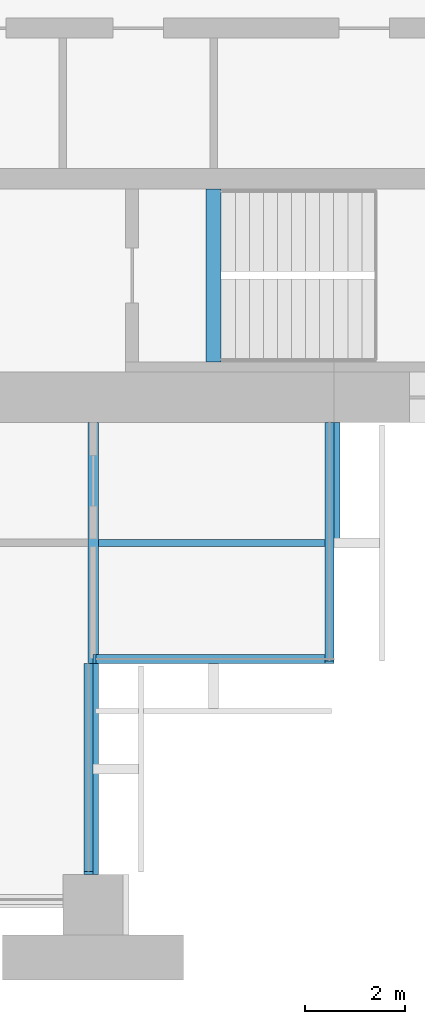
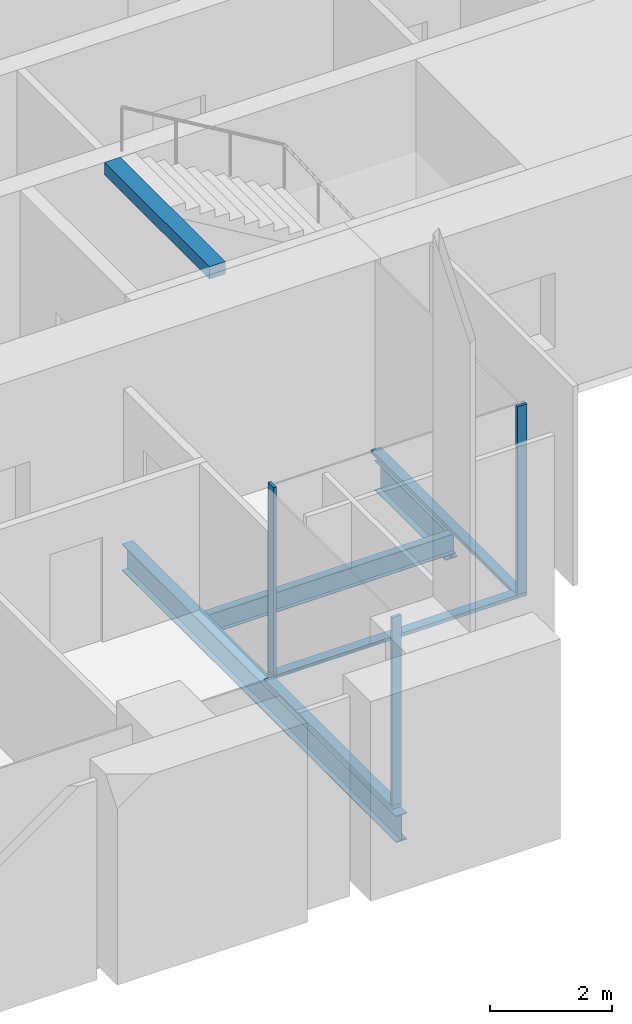
# One storey, part 4 of 14: 6 members, 4 beams, 3 elements without a shape of their own.
"""IFC4 building model written with IfcOpenShell, lengths in metres."""

from ifc_helpers import new_model, si_unit, direction, frame, origin, origin_2d, place, context, subcontext, project, spatial, rectangle, i_section, extrude, material, material_profile, profile_set, type_object, element, aggregate, save


model = new_model("IFC4")

# Units and contexts
model_context = context("Model", 3, precision=1e-05, world=origin(), true_north=direction((0.0, 1.0)))
body_context = subcontext(model_context, "Body", "Model", "MODEL_VIEW")
ifc_project = project(units=[si_unit("LENGTHUNIT", "METRE"), si_unit("AREAUNIT", "SQUARE_METRE"), si_unit("VOLUMEUNIT", "CUBIC_METRE"), si_unit("PLANEANGLEUNIT", "RADIAN"), si_unit("MASSUNIT", "GRAM", prefix="KILO")], contexts=[model_context])

# Site, building, storey
site_placement = place(None, origin())
site = spatial("IfcSite", under=ifc_project, at=site_placement, CompositionType="ELEMENT")
building_placement = place(site_placement, origin())
building = spatial("IfcBuilding", under=site, at=building_placement, Name="Baori Bourse Tower", CompositionType="ELEMENT")
storey_placement = place(building_placement, frame((0.0, 0.0, 156.10009765625)))
storey = spatial("IfcBuildingStorey", under=building, at=storey_placement, Name="L34", CompositionType="ELEMENT", Elevation=156.10009765625)

# Curtain wall, member
ifc_material_1 = material(Name="Pale anodised aluminium", Category="aluminium")
curtain_wall_type = type_object("IfcCurtainWallType", Name="CW2 Curtain wall", PredefinedType="NOTDEFINED", material=ifc_material_1)
curtain_wall_1_placement = place(storey_placement, origin())
curtain_wall_1 = element("IfcCurtainWall", 1, at=curtain_wall_1_placement, inside=storey, type_object=curtain_wall_type, Name="Curtain wall CW2 L34 12", PredefinedType="NOTDEFINED")
ifc_material_2 = material(Name="Pale anodised aluminium", Category="aluminium")
ifc_material_profile_1 = material_profile(ifc_material_2, rectangle(XDim=0.179931640625, YDim=0.054931640625, at=origin_2d()), Name="Mullion 55x180")
ifc_profile_set_1 = profile_set([ifc_material_profile_1], Name="Pale anodised aluminium")
member_type_1 = type_object("IfcMemberType", Name="CW2 Curtain wall mullion", PredefinedType="MULLION", material=ifc_profile_set_1)
member_1_placement = place(storey_placement, frame((43.110107421875, 0.62744140625, 0.06982421875), z_axis=(0.0, 0.0, 1.0), x_axis=(-1.0, 0.0, 0.0)))
member_1 = element("IfcMember", 2, at=member_1_placement, type_object=member_type_1, Name="Curtain wall CW2 mullion", PredefinedType="MULLION", context=body_context, shape_type="SweptSolid", body=[
    extrude(rectangle(XDim=0.179931640625, YDim=0.054931640625, at=origin_2d()), origin(), (0.0, 0.0, 1.0), 3.77001953125),
])

curtain_wall_2_placement = place(storey_placement, origin())
curtain_wall_2 = element("IfcCurtainWall", 3, at=curtain_wall_2_placement, inside=storey, type_object=curtain_wall_type, Name="Curtain wall CW2 L34 13", PredefinedType="NOTDEFINED")
member_2_placement = place(storey_placement, frame((43.2275390625, 4.889892578125, 0.06982421875), z_axis=(0.0, 0.0, 1.0), x_axis=(0.0, 1.0, 0.0)))
member_2 = element("IfcMember", 4, at=member_2_placement, type_object=member_type_1, Name="Curtain wall CW2 mullion", PredefinedType="MULLION", context=body_context, shape_type="SweptSolid", body=[
    extrude(rectangle(XDim=0.179931640625, YDim=0.054931640625, at=origin_2d()), origin(), (0.0, 0.0, 1.0), 3.77001953125),
])

curtain_wall_3_placement = place(storey_placement, origin())
curtain_wall_3 = element("IfcCurtainWall", 5, at=curtain_wall_3_placement, inside=storey, type_object=curtain_wall_type, Name="Curtain wall CW2 L34 14", PredefinedType="NOTDEFINED")
member_3_placement = place(storey_placement, frame((47.909912109375, 4.827392578125, 0.06982421875), z_axis=(0.0, 0.0, 1.0), x_axis=(-1.0, 0.0, 0.0)))
member_3 = element("IfcMember", 6, at=member_3_placement, type_object=member_type_1, Name="Curtain wall CW2 mullion", PredefinedType="MULLION", context=body_context, shape_type="SweptSolid", body=[
    extrude(rectangle(XDim=0.179931640625, YDim=0.054931640625, at=origin_2d()), origin(), (0.0, 0.0, 1.0), 3.77001953125),
])

# Member
ifc_material_3 = material(Name="Pale anodised aluminium", Category="aluminium")
ifc_material_profile_2 = material_profile(ifc_material_3, rectangle(XDim=0.179931640625, YDim=0.070068359375, at=origin_2d()), Name="Transom 70x180")
ifc_profile_set_2 = profile_set([ifc_material_profile_2], Name="Pale anodised aluminium")
member_type_2 = type_object("IfcMemberType", Name="CW2 Curtain wall transom", PredefinedType="USERDEFINED", material=ifc_profile_set_2)
member_4_placement = place(storey_placement, frame((43.110107421875, 0.60009765625, 0.034912109375), z_axis=(0.0, 1.0, 0.0), x_axis=(-1.0, 0.0, 0.0)))
member_4 = element("IfcMember", 7, at=member_4_placement, type_object=member_type_2, Name="Curtain wall CW2 sill rail", ObjectType="TRANSOM", PredefinedType="USERDEFINED", context=body_context, shape_type="SweptSolid", body=[
    extrude(rectangle(XDim=0.179931640625, YDim=0.070068359375, at=origin_2d()), origin(), (0.0, 0.0, 1.0), 4.199951171875),
])

aggregate(curtain_wall_1, [member_4, member_1])

member_5_placement = place(storey_placement, frame((43.199951171875, 4.889892578125, 0.034912109375), z_axis=(1.0, 0.0, 0.0), x_axis=(0.0, 1.0, 0.0)))
member_5 = element("IfcMember", 8, at=member_5_placement, type_object=member_type_2, Name="Curtain wall CW2 sill rail", ObjectType="TRANSOM", PredefinedType="USERDEFINED", context=body_context, shape_type="SweptSolid", body=[
    extrude(rectangle(XDim=0.179931640625, YDim=0.070068359375, at=origin_2d()), origin(), (0.0, 0.0, 1.0), 4.800048828125),
])

aggregate(curtain_wall_2, [member_5, member_2])

member_6_placement = place(storey_placement, frame((47.909912109375, 4.800048828125, 0.034912109375), z_axis=(0.0, 1.0, 0.0), x_axis=(-1.0, 0.0, 0.0)))
member_6 = element("IfcMember", 9, at=member_6_placement, type_object=member_type_2, Name="Curtain wall CW2 sill rail", ObjectType="TRANSOM", PredefinedType="USERDEFINED", context=body_context, shape_type="SweptSolid", body=[
    extrude(rectangle(XDim=0.179931640625, YDim=0.070068359375, at=origin_2d()), origin(), (0.0, 0.0, 1.0), 4.800048828125),
])

aggregate(curtain_wall_3, [member_6, member_3])

# Beams
ifc_material_4 = material(Name="Steel A992 Gr 50", Category="steel")
ifc_material_profile_3 = material_profile(ifc_material_4, i_section(OverallWidth=0.227783203125, OverallDepth=0.60205078125, WebThickness=0.010498046875, FlangeThickness=0.014892578125, at=origin_2d()), Name="W24x68")
ifc_profile_set_3 = profile_set([ifc_material_profile_3], Name="Steel A992 Gr 50")
beam_type_1 = type_object("IfcBeamType", Name="Core bracket W24x68", PredefinedType="BEAM", material=ifc_profile_set_3)
beam_1_placement = place(storey_placement, frame((48.0, 7.270263671875, -0.461181640625), z_axis=(0.0, 1.0, 0.0), x_axis=(-1.0, 0.0, 0.0)))
element("IfcBeam", 10, at=beam_1_placement, inside=storey, type_object=beam_type_1, Name="Core bracket L34", PredefinedType="BEAM", context=body_context, shape_type="SweptSolid", body=[
    extrude(i_section(OverallWidth=0.227783203125, OverallDepth=0.60205078125, WebThickness=0.010498046875, FlangeThickness=0.014892578125, at=origin_2d()), origin(), (0.0, 0.0, 1.0), 2.329833984375),
])
ifc_material_5 = material(Name="Steel A992 Gr 50", Category="steel")
ifc_material_profile_4 = material_profile(ifc_material_5, i_section(OverallWidth=0.209228515625, OverallDepth=0.533447265625, WebThickness=0.01025390625, FlangeThickness=0.015625, at=origin_2d()), Name="W21x62")
ifc_profile_set_4 = profile_set([ifc_material_profile_4], Name="Steel A992 Gr 50")
beam_type_2 = type_object("IfcBeamType", Name="Floor beam W21x62", PredefinedType="BEAM", material=ifc_profile_set_4)
beam_2_placement = place(storey_placement, frame((43.199951171875, 0.60009765625, -0.4267578125), z_axis=(0.0, 1.0, 0.0), x_axis=(-1.0, 0.0, 0.0)))
element("IfcBeam", 11, at=beam_2_placement, inside=storey, type_object=beam_type_2, Name="Floor beam L34", PredefinedType="BEAM", context=body_context, shape_type="SweptSolid", body=[
    extrude(i_section(OverallWidth=0.209228515625, OverallDepth=0.533447265625, WebThickness=0.01025390625, FlangeThickness=0.015625, at=origin_2d()), origin(), (0.0, 0.0, 1.0), 9.0),
])
ifc_material_6 = material(Name="Concrete f'c 50 MPa", Category="concrete")
ifc_material_profile_5 = material_profile(ifc_material_6, rectangle(XDim=0.300048828125, YDim=0.25, at=origin_2d()), Name="RC 300x250")
ifc_profile_set_5 = profile_set([ifc_material_profile_5], Name="Concrete f'c 50 MPa")
beam_type_3 = type_object("IfcBeamType", Name="Stair nib beam RC 300x250", PredefinedType="BEAM", material=ifc_profile_set_5)
beam_3_placement = place(storey_placement, frame((45.60009765625, 10.800048828125, 3.71484375), z_axis=(0.0, 1.0, 0.0), x_axis=(-1.0, 0.0, 0.0)))
element("IfcBeam", 12, at=beam_3_placement, inside=storey, type_object=beam_type_3, Name="Stair EA nib beam L35", PredefinedType="BEAM", context=body_context, shape_type="SweptSolid", body=[
    extrude(rectangle(XDim=0.300048828125, YDim=0.25, at=origin_2d()), origin(), (0.0, 0.0, 1.0), 3.449951171875),
])
ifc_material_7 = material(Name="Steel A992 Gr 50", Category="steel")
ifc_material_profile_6 = material_profile(ifc_material_7, i_section(OverallWidth=0.140380859375, OverallDepth=0.40380859375, WebThickness=0.007080078125, FlangeThickness=0.01123046875, at=origin_2d()), Name="W16x31")
ifc_profile_set_6 = profile_set([ifc_material_profile_6], Name="Steel A992 Gr 50")
beam_type_4 = type_object("IfcBeamType", Name="Trimmer beam W16x31", PredefinedType="BEAM", material=ifc_profile_set_6)
beam_4_placement = place(storey_placement, frame((43.3046875, 7.199951171875, -0.362060546875), z_axis=(1.0, 0.0, 0.0), x_axis=(0.0, 1.0, 0.0)))
element("IfcBeam", 13, at=beam_4_placement, inside=storey, type_object=beam_type_4, Name="Trimmer beam L34", PredefinedType="BEAM", context=body_context, shape_type="SweptSolid", body=[
    extrude(i_section(OverallWidth=0.140380859375, OverallDepth=0.40380859375, WebThickness=0.007080078125, FlangeThickness=0.01123046875, at=origin_2d()), origin(), (0.0, 0.0, 1.0), 4.6953125),
])

save(model, "model.ifc")
